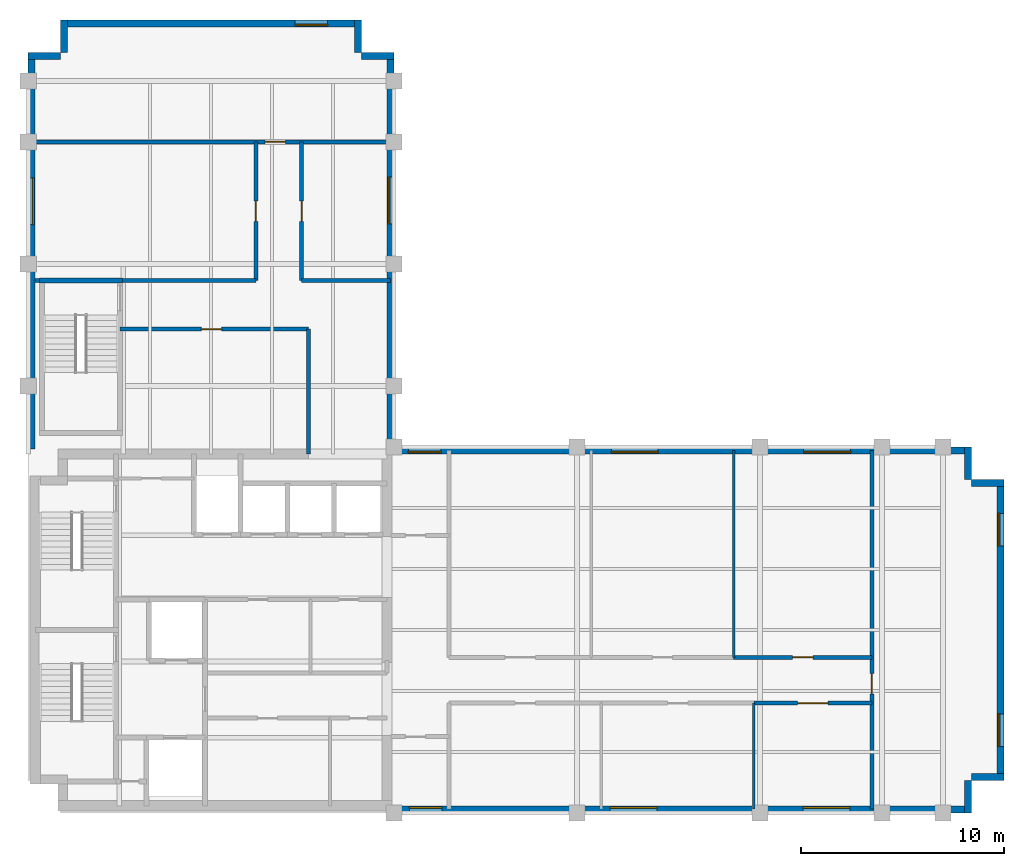
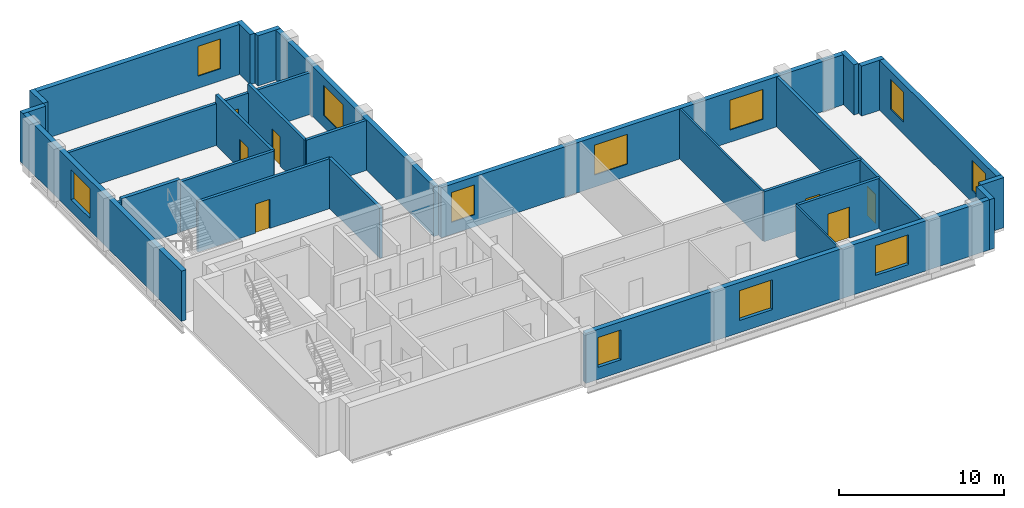
# One storey, part 4 of 6: 28 walls, 11 windows, 7 doors, 18 openings.
"""IFC4 building model written with IfcOpenShell, lengths in metres."""

from ifc_helpers import new_model, si_unit, direction, frame, frame_2d, origin, place, context, subcontext, project, spatial, rectangle, extrude, material, layer, layer_set, type_object, element, fill, save


model = new_model("IFC4")

# Units and contexts
model_context = context("Model", 3, precision=1e-05, world=origin(), true_north=direction((0.0, 1.0)))
body_context = subcontext(model_context, "Body", "Model", "MODEL_VIEW")
ifc_project = project(units=[si_unit("LENGTHUNIT", "METRE"), si_unit("AREAUNIT", "SQUARE_METRE"), si_unit("VOLUMEUNIT", "CUBIC_METRE"), si_unit("PLANEANGLEUNIT", "RADIAN"), si_unit("MASSUNIT", "GRAM", prefix="KILO")], contexts=[model_context])

# Site, building, storey
site_placement = place(None, origin())
site = spatial("IfcSite", under=ifc_project, at=site_placement, CompositionType="ELEMENT")
building_placement = place(site_placement, origin())
building = spatial("IfcBuilding", under=site, at=building_placement, Name="Mawjdan Bourse Tower", CompositionType="ELEMENT")
storey_placement = place(building_placement, frame((0.0, 0.0, 239.10009765625)))
storey = spatial("IfcBuildingStorey", under=building, at=storey_placement, Name="L58", CompositionType="ELEMENT", Elevation=239.10009765625)

# Wall, openings, windows
ifc_material_1 = material(Name="Brick Masonry Buff", Category="masonry")
ifc_layer_1 = layer(ifc_material_1, 0.340087890625)
ifc_layer_set_1 = layer_set([ifc_layer_1], Name="Brick Masonry Buff")
wall_type_1 = type_object("IfcWallType", Name="WL-BRK-SPN-340", PredefinedType="STANDARD", material=ifc_layer_set_1)
wall_1_placement = place(storey_placement, frame((23.89990234375, 3.169921875, 0.0), z_axis=(0.0, 0.0, 1.0), x_axis=(1.0, 0.0, 0.0)))
wall_1 = element("IfcWall", 1, at=wall_1_placement, inside=storey, type_object=wall_type_1, Name="L58 Exterior Brick Wall 1", PredefinedType="STANDARD", context=body_context, shape_type="SweptSolid", body=[
    extrude(rectangle(XDim=28.5, YDim=0.340087890625, at=frame_2d((14.25, 0.0))), origin(), (0.0, 0.0, 1.0), 3.699951171875),
])
opening_1_placement = place(wall_1_placement, frame((10.72509765625, 0.0, 0.89990234375)))
opening_1 = element("IfcOpeningElement", 2, at=opening_1_placement, cuts=wall_1, Name="Opening W-L58-01", PredefinedType="OPENING", context=body_context, shape_type="SweptSolid", body=[
    extrude(rectangle(XDim=2.300048828125, YDim=2.199951171875, at=frame_2d((1.14990234375, 1.10009765625))), frame((0.0, 0.18017578125, 0.0), z_axis=(0.0, -1.0, 0.0), x_axis=(1.0, 0.0, 0.0)), (0.0, 0.0, 1.0), 0.360107421875),
])
opening_2_placement = place(wall_1_placement, frame((20.22509765625, 0.0, 0.89990234375)))
opening_2 = element("IfcOpeningElement", 3, at=opening_2_placement, cuts=wall_1, Name="Opening W-L58-02", PredefinedType="OPENING", context=body_context, shape_type="SweptSolid", body=[
    extrude(rectangle(XDim=2.300048828125, YDim=2.199951171875, at=frame_2d((1.14990234375, 1.10009765625))), frame((0.0, 0.18017578125, 0.0), z_axis=(0.0, -1.0, 0.0), x_axis=(1.0, 0.0, 0.0)), (0.0, 0.0, 1.0), 0.360107421875),
])
opening_3_placement = place(wall_1_placement, frame((0.85009765625, 0.0, 0.89990234375)))
opening_3 = element("IfcOpeningElement", 4, at=opening_3_placement, cuts=wall_1, Name="Opening W-L58-10", PredefinedType="OPENING", context=body_context, shape_type="SweptSolid", body=[
    extrude(rectangle(XDim=1.60009765625, YDim=2.199951171875, at=frame_2d((0.800048828125, 1.10009765625))), frame((0.0, 0.18017578125, 0.0), z_axis=(0.0, -1.0, 0.0), x_axis=(1.0, 0.0, 0.0)), (0.0, 0.0, 1.0), 0.360107421875),
])
ifc_material_2 = material(Name="Solar-Control Clear Double Glazing", Category="glass")
window_type_1 = type_object("IfcWindowType", Name="WN-Z3-1600", PartitioningType="SINGLE_PANEL", PredefinedType="WINDOW", material=ifc_material_2)
window_1_placement = place(opening_3_placement, origin())
window_1 = element("IfcWindow", 5, at=window_1_placement, inside=storey, type_object=window_type_1, Name="L58 Deep-Set Masonry Window W-L58-10", OverallHeight=2.199951171875, OverallWidth=1.60009765625, PartitioningType="SINGLE_PANEL", PredefinedType="WINDOW", context=body_context, shape_type="SweptSolid", body=[
    extrude(rectangle(XDim=1.60009765625, YDim=2.199951171875, at=frame_2d((0.800048828125, 1.10009765625))), frame((0.0, 0.110107421875, 0.0), z_axis=(0.0, -1.0, 0.0), x_axis=(1.0, 0.0, 0.0)), (0.0, 0.0, 1.0), 0.06005859375),
])
fill(opening_3, window_1)
window_type_2 = type_object("IfcWindowType", Name="WN-Z3-2300", PartitioningType="SINGLE_PANEL", PredefinedType="WINDOW", material=ifc_material_2)
window_2_placement = place(opening_1_placement, origin())
window_2 = element("IfcWindow", 6, at=window_2_placement, inside=storey, type_object=window_type_2, Name="L58 Deep-Set Masonry Window W-L58-01", OverallHeight=2.199951171875, OverallWidth=2.300048828125, PartitioningType="SINGLE_PANEL", PredefinedType="WINDOW", context=body_context, shape_type="SweptSolid", body=[
    extrude(rectangle(XDim=2.300048828125, YDim=2.199951171875, at=frame_2d((1.14990234375, 1.10009765625))), frame((0.0, 0.110107421875, 0.0), z_axis=(0.0, -1.0, 0.0), x_axis=(1.0, 0.0, 0.0)), (0.0, 0.0, 1.0), 0.06005859375),
])
fill(opening_1, window_2)
window_3_placement = place(opening_2_placement, origin())
window_3 = element("IfcWindow", 7, at=window_3_placement, inside=storey, type_object=window_type_2, Name="L58 Deep-Set Masonry Window W-L58-02", OverallHeight=2.199951171875, OverallWidth=2.300048828125, PartitioningType="SINGLE_PANEL", PredefinedType="WINDOW", context=body_context, shape_type="SweptSolid", body=[
    extrude(rectangle(XDim=2.300048828125, YDim=2.199951171875, at=frame_2d((1.14990234375, 1.10009765625))), frame((0.0, 0.110107421875, 0.0), z_axis=(0.0, -1.0, 0.0), x_axis=(1.0, 0.0, 0.0)), (0.0, 0.0, 1.0), 0.06005859375),
])
fill(opening_2, window_3)

# Walls
for number, where, z_axis, x_axis, name in (
    (8, (52.22998046875, 3.0, 0.0), (0.0, 0.0, 1.0), (0.0, 1.0, 0.0), "L58 Exterior Brick Wall 2"),
    (9, (52.39990234375, 4.77001953125, 0.0), (0.0, 0.0, 1.0), (1.0, 0.0, 0.0), "L58 Exterior Brick Wall 3"),
):
    element("IfcWall", number, at=place(storey_placement, frame(where, z_axis=z_axis, x_axis=x_axis)), inside=storey, type_object=wall_type_1, Name=name, PredefinedType="STANDARD", context=body_context, shape_type="SweptSolid", body=[
        extrude(rectangle(XDim=1.60009765625, YDim=0.340087890625, at=frame_2d((0.800048828125, 0.0))), origin(), (0.0, 0.0, 1.0), 3.699951171875),
    ])

# Wall, openings, windows
wall_2_placement = place(storey_placement, frame((53.830078125, 4.60009765625, 0.0), z_axis=(0.0, 0.0, 1.0), x_axis=(0.0, 1.0, 0.0)))
wall_2 = element("IfcWall", 10, at=wall_2_placement, inside=storey, type_object=wall_type_1, Name="L58 Exterior Brick Wall 4", PredefinedType="STANDARD", context=body_context, shape_type="SweptSolid", body=[
    extrude(rectangle(XDim=14.7998046875, YDim=0.340087890625, at=frame_2d((7.39990234375, 0.0))), origin(), (0.0, 0.0, 1.0), 3.699951171875),
])
opening_4_placement = place(wall_2_placement, frame((1.666748046875, 0.0, 0.89990234375)))
opening_4 = element("IfcOpeningElement", 11, at=opening_4_placement, cuts=wall_2, Name="Opening W-L58-03", PredefinedType="OPENING", context=body_context, shape_type="SweptSolid", body=[
    extrude(rectangle(XDim=1.60009765625, YDim=2.199951171875, at=frame_2d((0.800048828125, 1.10009765625))), frame((0.0, 0.18017578125, 0.0), z_axis=(0.0, -1.0, 0.0), x_axis=(1.0, 0.0, 0.0)), (0.0, 0.0, 1.0), 0.360107421875),
])
opening_5_placement = place(wall_2_placement, frame((11.533203125, 0.0, 0.89990234375)))
opening_5 = element("IfcOpeningElement", 12, at=opening_5_placement, cuts=wall_2, Name="Opening W-L58-04", PredefinedType="OPENING", context=body_context, shape_type="SweptSolid", body=[
    extrude(rectangle(XDim=1.60009765625, YDim=2.199951171875, at=frame_2d((0.800048828125, 1.10009765625))), frame((0.0, 0.18017578125, 0.0), z_axis=(0.0, -1.0, 0.0), x_axis=(1.0, 0.0, 0.0)), (0.0, 0.0, 1.0), 0.360107421875),
])
window_4_placement = place(opening_4_placement, origin())
window_4 = element("IfcWindow", 13, at=window_4_placement, inside=storey, type_object=window_type_1, Name="L58 Deep-Set Masonry Window W-L58-03", OverallHeight=2.199951171875, OverallWidth=1.60009765625, PartitioningType="SINGLE_PANEL", PredefinedType="WINDOW", context=body_context, shape_type="SweptSolid", body=[
    extrude(rectangle(XDim=1.60009765625, YDim=2.199951171875, at=frame_2d((0.800048828125, 1.10009765625))), frame((0.0, 0.110107421875, 0.0), z_axis=(0.0, -1.0, 0.0), x_axis=(1.0, 0.0, 0.0)), (0.0, 0.0, 1.0), 0.06005859375),
])
fill(opening_4, window_4)
window_5_placement = place(opening_5_placement, origin())
window_5 = element("IfcWindow", 14, at=window_5_placement, inside=storey, type_object=window_type_1, Name="L58 Deep-Set Masonry Window W-L58-04", OverallHeight=2.199951171875, OverallWidth=1.60009765625, PartitioningType="SINGLE_PANEL", PredefinedType="WINDOW", context=body_context, shape_type="SweptSolid", body=[
    extrude(rectangle(XDim=1.60009765625, YDim=2.199951171875, at=frame_2d((0.800048828125, 1.10009765625))), frame((0.0, 0.110107421875, 0.0), z_axis=(0.0, -1.0, 0.0), x_axis=(1.0, 0.0, 0.0)), (0.0, 0.0, 1.0), 0.06005859375),
])
fill(opening_5, window_5)

# Walls
for number, where, z_axis, x_axis, name in (
    (15, (54.0, 19.22998046875, 0.0), (0.0, 0.0, 1.0), (-1.0, 0.0, 0.0), "L58 Exterior Brick Wall 5"),
    (16, (52.22998046875, 19.39990234375, 0.0), (0.0, 0.0, 1.0), (0.0, 1.0, 0.0), "L58 Exterior Brick Wall 6"),
):
    element("IfcWall", number, at=place(storey_placement, frame(where, z_axis=z_axis, x_axis=x_axis)), inside=storey, type_object=wall_type_1, Name=name, PredefinedType="STANDARD", context=body_context, shape_type="SweptSolid", body=[
        extrude(rectangle(XDim=1.60009765625, YDim=0.340087890625, at=frame_2d((0.800048828125, 0.0))), origin(), (0.0, 0.0, 1.0), 3.699951171875),
    ])

# Wall, openings, windows
wall_3_placement = place(storey_placement, frame((52.39990234375, 20.830078125, 0.0), z_axis=(0.0, 0.0, 1.0), x_axis=(-1.0, 0.0, 0.0)))
wall_3 = element("IfcWall", 17, at=wall_3_placement, inside=storey, type_object=wall_type_1, Name="L58 Exterior Brick Wall 7", PredefinedType="STANDARD", context=body_context, shape_type="SweptSolid", body=[
    extrude(rectangle(XDim=28.39990234375, YDim=0.340087890625, at=frame_2d((14.199951171875, 0.0))), origin(), (0.0, 0.0, 1.0), 3.699951171875),
])
opening_6_placement = place(wall_3_placement, frame((5.949951171875, 0.0, 0.89990234375)))
opening_6 = element("IfcOpeningElement", 18, at=opening_6_placement, cuts=wall_3, Name="Opening W-L58-05", PredefinedType="OPENING", context=body_context, shape_type="SweptSolid", body=[
    extrude(rectangle(XDim=2.300048828125, YDim=2.199951171875, at=frame_2d((1.14990234375, 1.10009765625))), frame((0.0, 0.18017578125, 0.0), z_axis=(0.0, -1.0, 0.0), x_axis=(1.0, 0.0, 0.0)), (0.0, 0.0, 1.0), 0.360107421875),
])
opening_7_placement = place(wall_3_placement, frame((15.416748046875, 0.0, 0.89990234375)))
opening_7 = element("IfcOpeningElement", 19, at=opening_7_placement, cuts=wall_3, Name="Opening W-L58-06", PredefinedType="OPENING", context=body_context, shape_type="SweptSolid", body=[
    extrude(rectangle(XDim=2.300048828125, YDim=2.199951171875, at=frame_2d((1.14990234375, 1.10009765625))), frame((0.0, 0.18017578125, 0.0), z_axis=(0.0, -1.0, 0.0), x_axis=(1.0, 0.0, 0.0)), (0.0, 0.0, 1.0), 0.360107421875),
])
opening_8_placement = place(wall_3_placement, frame((26.095703125, 0.0, 0.89990234375)))
opening_8 = element("IfcOpeningElement", 20, at=opening_8_placement, cuts=wall_3, Name="Opening W-L58-11", PredefinedType="OPENING", context=body_context, shape_type="SweptSolid", body=[
    extrude(rectangle(XDim=1.60009765625, YDim=2.199951171875, at=frame_2d((0.800048828125, 1.10009765625))), frame((0.0, 0.18017578125, 0.0), z_axis=(0.0, -1.0, 0.0), x_axis=(1.0, 0.0, 0.0)), (0.0, 0.0, 1.0), 0.360107421875),
])
window_6_placement = place(opening_8_placement, origin())
window_6 = element("IfcWindow", 21, at=window_6_placement, inside=storey, type_object=window_type_1, Name="L58 Deep-Set Masonry Window W-L58-11", OverallHeight=2.199951171875, OverallWidth=1.60009765625, PartitioningType="SINGLE_PANEL", PredefinedType="WINDOW", context=body_context, shape_type="SweptSolid", body=[
    extrude(rectangle(XDim=1.60009765625, YDim=2.199951171875, at=frame_2d((0.800048828125, 1.10009765625))), frame((0.0, 0.110107421875, 0.0), z_axis=(0.0, -1.0, 0.0), x_axis=(1.0, 0.0, 0.0)), (0.0, 0.0, 1.0), 0.06005859375),
])
fill(opening_8, window_6)
window_7_placement = place(opening_6_placement, origin())
window_7 = element("IfcWindow", 22, at=window_7_placement, inside=storey, type_object=window_type_2, Name="L58 Deep-Set Masonry Window W-L58-05", OverallHeight=2.199951171875, OverallWidth=2.300048828125, PartitioningType="SINGLE_PANEL", PredefinedType="WINDOW", context=body_context, shape_type="SweptSolid", body=[
    extrude(rectangle(XDim=2.300048828125, YDim=2.199951171875, at=frame_2d((1.14990234375, 1.10009765625))), frame((0.0, 0.110107421875, 0.0), z_axis=(0.0, -1.0, 0.0), x_axis=(1.0, 0.0, 0.0)), (0.0, 0.0, 1.0), 0.06005859375),
])
fill(opening_6, window_7)
window_8_placement = place(opening_7_placement, origin())
window_8 = element("IfcWindow", 23, at=window_8_placement, inside=storey, type_object=window_type_2, Name="L58 Deep-Set Masonry Window W-L58-06", OverallHeight=2.199951171875, OverallWidth=2.300048828125, PartitioningType="SINGLE_PANEL", PredefinedType="WINDOW", context=body_context, shape_type="SweptSolid", body=[
    extrude(rectangle(XDim=2.300048828125, YDim=2.199951171875, at=frame_2d((1.14990234375, 1.10009765625))), frame((0.0, 0.110107421875, 0.0), z_axis=(0.0, -1.0, 0.0), x_axis=(1.0, 0.0, 0.0)), (0.0, 0.0, 1.0), 0.06005859375),
])
fill(opening_7, window_8)

# Wall, opening, window
wall_4_placement = place(storey_placement, frame((23.830078125, 21.0, 0.0), z_axis=(0.0, 0.0, 1.0), x_axis=(0.0, 1.0, 0.0)))
wall_4 = element("IfcWall", 24, at=wall_4_placement, inside=storey, type_object=wall_type_1, Name="L58 Exterior Brick Wall 8", PredefinedType="STANDARD", context=body_context, shape_type="SweptSolid", body=[
    extrude(rectangle(XDim=19.39990234375, YDim=0.340087890625, at=frame_2d((9.699951171875, 0.0))), origin(), (0.0, 0.0, 1.0), 3.699951171875),
])
opening_9_placement = place(wall_4_placement, frame((10.97509765625, 0.0, 0.89990234375)))
opening_9 = element("IfcOpeningElement", 25, at=opening_9_placement, cuts=wall_4, Name="Opening W-L58-07", PredefinedType="OPENING", context=body_context, shape_type="SweptSolid", body=[
    extrude(rectangle(XDim=2.300048828125, YDim=2.199951171875, at=frame_2d((1.14990234375, 1.10009765625))), frame((0.0, 0.18017578125, 0.0), z_axis=(0.0, -1.0, 0.0), x_axis=(1.0, 0.0, 0.0)), (0.0, 0.0, 1.0), 0.360107421875),
])
window_9_placement = place(opening_9_placement, origin())
window_9 = element("IfcWindow", 26, at=window_9_placement, inside=storey, type_object=window_type_2, Name="L58 Deep-Set Masonry Window W-L58-07", OverallHeight=2.199951171875, OverallWidth=2.300048828125, PartitioningType="SINGLE_PANEL", PredefinedType="WINDOW", context=body_context, shape_type="SweptSolid", body=[
    extrude(rectangle(XDim=2.300048828125, YDim=2.199951171875, at=frame_2d((1.14990234375, 1.10009765625))), frame((0.0, 0.110107421875, 0.0), z_axis=(0.0, -1.0, 0.0), x_axis=(1.0, 0.0, 0.0)), (0.0, 0.0, 1.0), 0.06005859375),
])
fill(opening_9, window_9)

# Walls
for number, where, z_axis, x_axis, name in (
    (27, (24.0, 40.22998046875, 0.0), (0.0, 0.0, 1.0), (-1.0, 0.0, 0.0), "L58 Exterior Brick Wall 9"),
    (28, (22.22998046875, 40.39990234375, 0.0), (0.0, 0.0, 1.0), (0.0, 1.0, 0.0), "L58 Exterior Brick Wall 10"),
):
    element("IfcWall", number, at=place(storey_placement, frame(where, z_axis=z_axis, x_axis=x_axis)), inside=storey, type_object=wall_type_1, Name=name, PredefinedType="STANDARD", context=body_context, shape_type="SweptSolid", body=[
        extrude(rectangle(XDim=1.60009765625, YDim=0.340087890625, at=frame_2d((0.800048828125, 0.0))), origin(), (0.0, 0.0, 1.0), 3.699951171875),
    ])

# Wall, opening, window
wall_5_placement = place(storey_placement, frame((22.39990234375, 41.830078125, 0.0), z_axis=(0.0, 0.0, 1.0), x_axis=(-1.0, 0.0, 0.0)))
wall_5 = element("IfcWall", 29, at=wall_5_placement, inside=storey, type_object=wall_type_1, Name="L58 Exterior Brick Wall 11", PredefinedType="STANDARD", context=body_context, shape_type="SweptSolid", body=[
    extrude(rectangle(XDim=14.7998046875, YDim=0.340087890625, at=frame_2d((7.39990234375, 0.0))), origin(), (0.0, 0.0, 1.0), 3.699951171875),
])
opening_10_placement = place(wall_5_placement, frame((1.666748046875, 0.0, 0.89990234375)))
opening_10 = element("IfcOpeningElement", 30, at=opening_10_placement, cuts=wall_5, Name="Opening W-L58-08", PredefinedType="OPENING", context=body_context, shape_type="SweptSolid", body=[
    extrude(rectangle(XDim=1.60009765625, YDim=2.199951171875, at=frame_2d((0.800048828125, 1.10009765625))), frame((0.0, 0.18017578125, 0.0), z_axis=(0.0, -1.0, 0.0), x_axis=(1.0, 0.0, 0.0)), (0.0, 0.0, 1.0), 0.360107421875),
])
window_10_placement = place(opening_10_placement, origin())
window_10 = element("IfcWindow", 31, at=window_10_placement, inside=storey, type_object=window_type_1, Name="L58 Deep-Set Masonry Window W-L58-08", OverallHeight=2.199951171875, OverallWidth=1.60009765625, PartitioningType="SINGLE_PANEL", PredefinedType="WINDOW", context=body_context, shape_type="SweptSolid", body=[
    extrude(rectangle(XDim=1.60009765625, YDim=2.199951171875, at=frame_2d((0.800048828125, 1.10009765625))), frame((0.0, 0.110107421875, 0.0), z_axis=(0.0, -1.0, 0.0), x_axis=(1.0, 0.0, 0.0)), (0.0, 0.0, 1.0), 0.06005859375),
])
fill(opening_10, window_10)

# Walls
for number, where, z_axis, x_axis, name in (
    (32, (7.77001953125, 42.0, 0.0), (0.0, 0.0, 1.0), (0.0, -1.0, 0.0), "L58 Exterior Brick Wall 12"),
    (33, (7.60009765625, 40.22998046875, 0.0), (0.0, 0.0, 1.0), (-1.0, 0.0, 0.0), "L58 Exterior Brick Wall 13"),
):
    element("IfcWall", number, at=place(storey_placement, frame(where, z_axis=z_axis, x_axis=x_axis)), inside=storey, type_object=wall_type_1, Name=name, PredefinedType="STANDARD", context=body_context, shape_type="SweptSolid", body=[
        extrude(rectangle(XDim=1.60009765625, YDim=0.340087890625, at=frame_2d((0.800048828125, 0.0))), origin(), (0.0, 0.0, 1.0), 3.699951171875),
    ])

# Wall, opening, window
wall_6_placement = place(storey_placement, frame((6.169921875, 40.39990234375, 0.0), z_axis=(0.0, 0.0, 1.0), x_axis=(0.0, -1.0, 0.0)))
wall_6 = element("IfcWall", 34, at=wall_6_placement, inside=storey, type_object=wall_type_1, Name="L58 Exterior Brick Wall 14", PredefinedType="STANDARD", context=body_context, shape_type="SweptSolid", body=[
    extrude(rectangle(XDim=19.5, YDim=0.340087890625, at=frame_2d((9.75, 0.0))), origin(), (0.0, 0.0, 1.0), 3.699951171875),
])
opening_11_placement = place(wall_6_placement, frame((6.16259765625, 0.0, 0.89990234375)))
opening_11 = element("IfcOpeningElement", 35, at=opening_11_placement, cuts=wall_6, Name="Opening W-L58-09", PredefinedType="OPENING", context=body_context, shape_type="SweptSolid", body=[
    extrude(rectangle(XDim=2.300048828125, YDim=2.199951171875, at=frame_2d((1.14990234375, 1.10009765625))), frame((0.0, 0.18017578125, 0.0), z_axis=(0.0, -1.0, 0.0), x_axis=(1.0, 0.0, 0.0)), (0.0, 0.0, 1.0), 0.360107421875),
])
window_11_placement = place(opening_11_placement, origin())
window_11 = element("IfcWindow", 36, at=window_11_placement, inside=storey, type_object=window_type_2, Name="L58 Deep-Set Masonry Window W-L58-09", OverallHeight=2.199951171875, OverallWidth=2.300048828125, PartitioningType="SINGLE_PANEL", PredefinedType="WINDOW", context=body_context, shape_type="SweptSolid", body=[
    extrude(rectangle(XDim=2.300048828125, YDim=2.199951171875, at=frame_2d((1.14990234375, 1.10009765625))), frame((0.0, 0.110107421875, 0.0), z_axis=(0.0, -1.0, 0.0), x_axis=(1.0, 0.0, 0.0)), (0.0, 0.0, 1.0), 0.06005859375),
])
fill(opening_11, window_11)

# Wall, opening, door
ifc_material_3 = material(Name="Gypsum Fireboard Assembly")
ifc_layer_2 = layer(ifc_material_3, 0.199951171875)
ifc_layer_set_2 = layer_set([ifc_layer_2], Name="Gypsum Fireboard Assembly")
wall_type_2 = type_object("IfcWallType", Name="WL-CMP-200", PredefinedType="PARTITIONING", material=ifc_layer_set_2)
wall_7_placement = place(storey_placement, frame((41.699951171875, 8.39990234375, 0.0), z_axis=(0.0, 0.0, 1.0), x_axis=(1.0, 0.0, 0.0)))
wall_7 = element("IfcWall", 37, at=wall_7_placement, inside=storey, type_object=wall_type_2, Name="L58 Conference Room Corridor Wall", PredefinedType="PARTITIONING", context=body_context, shape_type="SweptSolid", body=[
    extrude(rectangle(XDim=5.800048828125, YDim=0.199951171875, at=frame_2d((2.89990234375, 0.0))), origin(), (0.0, 0.0, 1.0), 3.68994140625),
])
opening_12_placement = place(wall_7_placement, frame((2.14990234375, 0.0, 0.0)))
opening_12 = element("IfcOpeningElement", 38, at=opening_12_placement, cuts=wall_7, Name="Opening D-L58-23", PredefinedType="OPENING", context=body_context, shape_type="SweptSolid", body=[
    extrude(rectangle(XDim=1.5, YDim=2.300048828125, at=frame_2d((0.75, 1.14990234375))), frame((0.0, 0.10986328125, 0.0), z_axis=(0.0, -1.0, 0.0), x_axis=(1.0, 0.0, 0.0)), (0.0, 0.0, 1.0), 0.219970703125),
])
ifc_material_4 = material(Name="Acoustic Glazed Timber", Category="wood")
door_type_1 = type_object("IfcDoorType", Name="DR-CNF-1500", OperationType="DOUBLE_DOOR_SINGLE_SWING", PredefinedType="DOOR", material=ifc_material_4)
door_1_placement = place(opening_12_placement, origin())
door_1 = element("IfcDoor", 39, at=door_1_placement, inside=storey, type_object=door_type_1, Name="L58 Conference Room Door D-L58-23", OperationType="DOUBLE_DOOR_SINGLE_SWING", OverallHeight=2.300048828125, OverallWidth=1.5, PredefinedType="DOOR", context=body_context, shape_type="SweptSolid", body=[
    extrude(rectangle(XDim=1.5, YDim=2.300048828125, at=frame_2d((0.75, 1.14990234375))), frame((0.0, 0.02490234375, 0.0), z_axis=(0.0, -1.0, 0.0), x_axis=(1.0, 0.0, 0.0)), (0.0, 0.0, 1.0), 0.050048828125),
])
fill(opening_12, door_1)

wall_8_placement = place(storey_placement, frame((40.699951171875, 10.64990234375, 0.0), z_axis=(0.0, 0.0, 1.0), x_axis=(1.0, 0.0, 0.0)))
wall_8 = element("IfcWall", 40, at=wall_8_placement, inside=storey, type_object=wall_type_2, Name="L58 Client Meeting Room Corridor Wall", PredefinedType="PARTITIONING", context=body_context, shape_type="SweptSolid", body=[
    extrude(rectangle(XDim=6.800048828125, YDim=0.199951171875, at=frame_2d((3.39990234375, 0.0))), origin(), (0.0, 0.0, 1.0), 3.68994140625),
])
opening_13_placement = place(wall_8_placement, frame((2.89990234375, 0.0, 0.0)))
opening_13 = element("IfcOpeningElement", 41, at=opening_13_placement, cuts=wall_8, Name="Opening D-L58-26", PredefinedType="OPENING", context=body_context, shape_type="SweptSolid", body=[
    extrude(rectangle(XDim=1.0, YDim=2.14990234375, at=frame_2d((0.5, 1.074951171875))), frame((0.0, 0.10986328125, 0.0), z_axis=(0.0, -1.0, 0.0), x_axis=(1.0, 0.0, 0.0)), (0.0, 0.0, 1.0), 0.219970703125),
])
ifc_material_5 = material(Name="Hardwood Acoustic Leaf", Category="wood")
door_type_2 = type_object("IfcDoorType", Name="DR-OFC-1000", OperationType="NOTDEFINED", PredefinedType="DOOR", material=ifc_material_5)
door_2_placement = place(opening_13_placement, origin())
door_2 = element("IfcDoor", 42, at=door_2_placement, inside=storey, type_object=door_type_2, Name="L58 Client Meeting Room Door D-L58-26", OperationType="SINGLE_SWING_RIGHT", OverallHeight=2.14990234375, OverallWidth=1.0, PredefinedType="DOOR", context=body_context, shape_type="SweptSolid", body=[
    extrude(rectangle(XDim=1.0, YDim=2.14990234375, at=frame_2d((0.5, 1.074951171875))), frame((0.0, 0.02490234375, 0.0), z_axis=(0.0, -1.0, 0.0), x_axis=(1.0, 0.0, 0.0)), (0.0, 0.0, 1.0), 0.050048828125),
])
fill(opening_13, door_2)

wall_9_placement = place(storey_placement, frame((47.5, 3.179931640625, 0.0), z_axis=(0.0, 0.0, 1.0), x_axis=(0.0, 1.0, 0.0)))
wall_9 = element("IfcWall", 43, at=wall_9_placement, inside=storey, type_object=wall_type_2, Name="L58 East Tip Full Cross Wall", PredefinedType="PARTITIONING", context=body_context, shape_type="SweptSolid", body=[
    extrude(rectangle(XDim=17.64013671875, YDim=0.199951171875, at=frame_2d((8.820068359375, 0.0))), origin(), (0.0, 0.0, 1.0), 3.68994140625),
])
opening_14_placement = place(wall_9_placement, frame((5.675048828125, 0.0, 0.0)))
opening_14 = element("IfcOpeningElement", 44, at=opening_14_placement, cuts=wall_9, Name="Opening D-L58-27", PredefinedType="OPENING", context=body_context, shape_type="SweptSolid", body=[
    extrude(rectangle(XDim=1.0, YDim=2.14990234375, at=frame_2d((0.5, 1.074951171875))), frame((0.0, 0.10986328125, 0.0), z_axis=(0.0, -1.0, 0.0), x_axis=(1.0, 0.0, 0.0)), (0.0, 0.0, 1.0), 0.219970703125),
])
door_3_placement = place(opening_14_placement, origin())
door_3 = element("IfcDoor", 45, at=door_3_placement, inside=storey, type_object=door_type_2, Name="L58 East Tip Hall Door D-L58-27", OperationType="SINGLE_SWING_LEFT", OverallHeight=2.14990234375, OverallWidth=1.0, PredefinedType="DOOR", context=body_context, shape_type="SweptSolid", body=[
    extrude(rectangle(XDim=1.0, YDim=2.14990234375, at=frame_2d((0.5, 1.074951171875))), frame((0.0, 0.02490234375, 0.0), z_axis=(0.0, -1.0, 0.0), x_axis=(1.0, 0.0, 0.0)), (0.0, 0.0, 1.0), 0.050048828125),
])
fill(opening_14, door_3)

wall_10_placement = place(storey_placement, frame((10.52001953125, 26.800048828125, 0.0), z_axis=(0.0, 0.0, 1.0), x_axis=(1.0, 0.0, 0.0)))
wall_10 = element("IfcWall", 46, at=wall_10_placement, inside=storey, type_object=wall_type_2, Name="L58 North Throat North Wall", PredefinedType="PARTITIONING", context=body_context, shape_type="SweptSolid", body=[
    extrude(rectangle(XDim=9.280029296875, YDim=0.199951171875, at=frame_2d((4.64013671875, 0.0))), origin(), (0.0, 0.0, 1.0), 3.68994140625),
])
opening_15_placement = place(wall_10_placement, frame((4.0, 0.0, 0.0)))
opening_15 = element("IfcOpeningElement", 47, at=opening_15_placement, cuts=wall_10, Name="Opening D-L58-28", PredefinedType="OPENING", context=body_context, shape_type="SweptSolid", body=[
    extrude(rectangle(XDim=1.0, YDim=2.14990234375, at=frame_2d((0.5, 1.074951171875))), frame((0.0, 0.10986328125, 0.0), z_axis=(0.0, -1.0, 0.0), x_axis=(1.0, 0.0, 0.0)), (0.0, 0.0, 1.0), 0.219970703125),
])
door_4_placement = place(opening_15_placement, origin())
door_4 = element("IfcDoor", 48, at=door_4_placement, inside=storey, type_object=door_type_2, Name="L58 North Throat Suite Door D-L58-28", OperationType="SINGLE_SWING_RIGHT", OverallHeight=2.14990234375, OverallWidth=1.0, PredefinedType="DOOR", context=body_context, shape_type="SweptSolid", body=[
    extrude(rectangle(XDim=1.0, YDim=2.14990234375, at=frame_2d((0.5, 1.074951171875))), frame((0.0, 0.02490234375, 0.0), z_axis=(0.0, -1.0, 0.0), x_axis=(1.0, 0.0, 0.0)), (0.0, 0.0, 1.0), 0.050048828125),
])
fill(opening_15, door_4)

# Walls
wall_11_placement = place(storey_placement, frame((19.800048828125, 20.64990234375, 0.0), z_axis=(0.0, 0.0, 1.0), x_axis=(0.0, 1.0, 0.0)))
element("IfcWall", 49, at=wall_11_placement, inside=storey, type_object=wall_type_2, Name="L58 North Throat East Wall", PredefinedType="PARTITIONING", context=body_context, shape_type="SweptSolid", body=[
    extrude(rectangle(XDim=6.150146484375, YDim=0.199951171875, at=frame_2d((3.0751953125, 0.0))), origin(), (0.0, 0.0, 1.0), 3.68994140625),
])
wall_12_placement = place(storey_placement, frame((6.340087890625, 29.179931640625, 0.0), z_axis=(0.0, 0.0, 1.0), x_axis=(1.0, 0.0, 0.0)))
element("IfcWall", 50, at=wall_12_placement, inside=storey, type_object=wall_type_2, Name="L58 North West Band ST3 West Return", PredefinedType="PARTITIONING", context=body_context, shape_type="SweptSolid", body=[
    extrude(rectangle(XDim=0.21484375, YDim=0.199951171875, at=frame_2d((0.107421875, 0.0))), origin(), (0.0, 0.0, 1.0), 3.68994140625),
])
wall_13_placement = place(storey_placement, frame((10.6298828125, 29.179931640625, 0.0), z_axis=(0.0, 0.0, 1.0), x_axis=(1.0, 0.0, 0.0)))
element("IfcWall", 51, at=wall_13_placement, inside=storey, type_object=wall_type_2, Name="L58 North West Band South Wall", PredefinedType="PARTITIONING", context=body_context, shape_type="SweptSolid", body=[
    extrude(rectangle(XDim=6.570068359375, YDim=0.199951171875, at=frame_2d((3.28515625, 0.0))), origin(), (0.0, 0.0, 1.0), 3.68994140625),
])
wall_14_placement = place(storey_placement, frame((19.449951171875, 29.179931640625, 0.0), z_axis=(0.0, 0.0, 1.0), x_axis=(1.0, 0.0, 0.0)))
element("IfcWall", 52, at=wall_14_placement, inside=storey, type_object=wall_type_2, Name="L58 North East Band South Wall", PredefinedType="PARTITIONING", context=body_context, shape_type="SweptSolid", body=[
    extrude(rectangle(XDim=4.3701171875, YDim=0.199951171875, at=frame_2d((2.18505859375, 0.0))), origin(), (0.0, 0.0, 1.0), 3.68994140625),
])

# Wall, opening, door
wall_15_placement = place(storey_placement, frame((17.199951171875, 29.179931640625, 0.0), z_axis=(0.0, 0.0, 1.0), x_axis=(0.0, 1.0, 0.0)))
wall_15 = element("IfcWall", 53, at=wall_15_placement, inside=storey, type_object=wall_type_2, Name="L58 Executive Office Corridor Wall", PredefinedType="PARTITIONING", context=body_context, shape_type="SweptSolid", body=[
    extrude(rectangle(XDim=6.820068359375, YDim=0.199951171875, at=frame_2d((3.41015625, 0.0))), origin(), (0.0, 0.0, 1.0), 3.68994140625),
])
opening_16_placement = place(wall_15_placement, frame((2.909912109375, 0.0, 0.0)))
opening_16 = element("IfcOpeningElement", 54, at=opening_16_placement, cuts=wall_15, Name="Opening D-L58-29", PredefinedType="OPENING", context=body_context, shape_type="SweptSolid", body=[
    extrude(rectangle(XDim=1.0, YDim=2.14990234375, at=frame_2d((0.5, 1.074951171875))), frame((0.0, 0.10986328125, 0.0), z_axis=(0.0, -1.0, 0.0), x_axis=(1.0, 0.0, 0.0)), (0.0, 0.0, 1.0), 0.219970703125),
])
door_5_placement = place(opening_16_placement, origin())
door_5 = element("IfcDoor", 55, at=door_5_placement, inside=storey, type_object=door_type_2, Name="L58 Executive Office Door D-L58-29", OperationType="SINGLE_SWING_LEFT", OverallHeight=2.14990234375, OverallWidth=1.0, PredefinedType="DOOR", context=body_context, shape_type="SweptSolid", body=[
    extrude(rectangle(XDim=1.0, YDim=2.14990234375, at=frame_2d((0.5, 1.074951171875))), frame((0.0, 0.02490234375, 0.0), z_axis=(0.0, -1.0, 0.0), x_axis=(1.0, 0.0, 0.0)), (0.0, 0.0, 1.0), 0.050048828125),
])
fill(opening_16, door_5)

wall_16_placement = place(storey_placement, frame((19.449951171875, 29.179931640625, 0.0), z_axis=(0.0, 0.0, 1.0), x_axis=(0.0, 1.0, 0.0)))
wall_16 = element("IfcWall", 56, at=wall_16_placement, inside=storey, type_object=wall_type_2, Name="L58 Venture Research Office Corridor Wall", PredefinedType="PARTITIONING", context=body_context, shape_type="SweptSolid", body=[
    extrude(rectangle(XDim=6.820068359375, YDim=0.199951171875, at=frame_2d((3.41015625, 0.0))), origin(), (0.0, 0.0, 1.0), 3.68994140625),
])
opening_17_placement = place(wall_16_placement, frame((2.909912109375, 0.0, 0.0)))
opening_17 = element("IfcOpeningElement", 57, at=opening_17_placement, cuts=wall_16, Name="Opening D-L58-30", PredefinedType="OPENING", context=body_context, shape_type="SweptSolid", body=[
    extrude(rectangle(XDim=1.0, YDim=2.14990234375, at=frame_2d((0.5, 1.074951171875))), frame((0.0, 0.10986328125, 0.0), z_axis=(0.0, -1.0, 0.0), x_axis=(1.0, 0.0, 0.0)), (0.0, 0.0, 1.0), 0.219970703125),
])
door_6_placement = place(opening_17_placement, origin())
door_6 = element("IfcDoor", 58, at=door_6_placement, inside=storey, type_object=door_type_2, Name="L58 Venture Research Office Door D-L58-30", OperationType="SINGLE_SWING_RIGHT", OverallHeight=2.14990234375, OverallWidth=1.0, PredefinedType="DOOR", context=body_context, shape_type="SweptSolid", body=[
    extrude(rectangle(XDim=1.0, YDim=2.14990234375, at=frame_2d((0.5, 1.074951171875))), frame((0.0, 0.02490234375, 0.0), z_axis=(0.0, -1.0, 0.0), x_axis=(1.0, 0.0, 0.0)), (0.0, 0.0, 1.0), 0.050048828125),
])
fill(opening_17, door_6)

wall_17_placement = place(storey_placement, frame((6.179931640625, 36.0, 0.0), z_axis=(0.0, 0.0, 1.0), x_axis=(1.0, 0.0, 0.0)))
wall_17 = element("IfcWall", 59, at=wall_17_placement, inside=storey, type_object=wall_type_2, Name="L58 North Tip Full Cross Wall", PredefinedType="PARTITIONING", context=body_context, shape_type="SweptSolid", body=[
    extrude(rectangle(XDim=17.64013671875, YDim=0.199951171875, at=frame_2d((8.820068359375, 0.0))), origin(), (0.0, 0.0, 1.0), 3.072998046875),
])
opening_18_placement = place(wall_17_placement, frame((11.47509765625, 0.0, 0.0)))
opening_18 = element("IfcOpeningElement", 60, at=opening_18_placement, cuts=wall_17, Name="Opening D-L58-31", PredefinedType="OPENING", context=body_context, shape_type="SweptSolid", body=[
    extrude(rectangle(XDim=1.0, YDim=2.14990234375, at=frame_2d((0.5, 1.074951171875))), frame((0.0, 0.10986328125, 0.0), z_axis=(0.0, -1.0, 0.0), x_axis=(1.0, 0.0, 0.0)), (0.0, 0.0, 1.0), 0.219970703125),
])
door_7_placement = place(opening_18_placement, origin())
door_7 = element("IfcDoor", 61, at=door_7_placement, inside=storey, type_object=door_type_2, Name="L58 North Tip Suite Door D-L58-31", OperationType="SINGLE_SWING_LEFT", OverallHeight=2.14990234375, OverallWidth=1.0, PredefinedType="DOOR", context=body_context, shape_type="SweptSolid", body=[
    extrude(rectangle(XDim=1.0, YDim=2.14990234375, at=frame_2d((0.5, 1.074951171875))), frame((0.0, 0.02490234375, 0.0), z_axis=(0.0, -1.0, 0.0), x_axis=(1.0, 0.0, 0.0)), (0.0, 0.0, 1.0), 0.050048828125),
])
fill(opening_18, door_7)

# Walls
ifc_material_6 = material(Name="Gypsum Partition")
ifc_layer_3 = layer(ifc_material_6, 0.125)
ifc_layer_set_3 = layer_set([ifc_layer_3], Name="Gypsum Partition")
wall_type_3 = type_object("IfcWallType", Name="WL-PRT-125", PredefinedType="PARTITIONING", material=ifc_layer_set_3)
wall_18_placement = place(storey_placement, frame((41.699951171875, 3.179931640625, 0.0), z_axis=(0.0, 0.0, 1.0), x_axis=(0.0, 1.0, 0.0)))
element("IfcWall", 62, at=wall_18_placement, inside=storey, type_object=wall_type_3, Name="L58 Conference Room Partition", PredefinedType="PARTITIONING", context=body_context, shape_type="SweptSolid", body=[
    extrude(rectangle(XDim=5.219970703125, YDim=0.125, at=frame_2d((2.60986328125, 0.0))), origin(), (0.0, 0.0, 1.0), 3.68994140625),
])
wall_19_placement = place(storey_placement, frame((40.699951171875, 10.64990234375, 0.0), z_axis=(0.0, 0.0, 1.0), x_axis=(0.0, 1.0, 0.0)))
element("IfcWall", 63, at=wall_19_placement, inside=storey, type_object=wall_type_3, Name="L58 Client Meeting Room Partition", PredefinedType="PARTITIONING", context=body_context, shape_type="SweptSolid", body=[
    extrude(rectangle(XDim=10.170166015625, YDim=0.125, at=frame_2d((5.0849609375, 0.0))), origin(), (0.0, 0.0, 1.0), 3.68994140625),
])
ifc_material_7 = material(Name="Concrete C50/60", Category="concrete")
ifc_layer_4 = layer(ifc_material_7, 0.25)
ifc_layer_set_4 = layer_set([ifc_layer_4], Name="Concrete C50/60")
wall_type_4 = type_object("IfcWallType", Name="WL-STRW-250", PredefinedType="SHEAR", material=ifc_layer_set_4)
wall_20_placement = place(storey_placement, frame((6.554931640625, 29.179931640625, 0.0), z_axis=(0.0, 0.0, 1.0), x_axis=(1.0, 0.0, 0.0)))
element("IfcWall", 64, at=wall_20_placement, inside=storey, type_object=wall_type_4, Name="L58 ST3 North Shaft Wall", PredefinedType="SHEAR", context=body_context, shape_type="SweptSolid", body=[
    extrude(rectangle(XDim=4.090087890625, YDim=0.25, at=frame_2d((2.044921875, 0.0))), origin(), (0.0, 0.0, 1.0), 3.89990234375),
])

save(model, "model.ifc")
